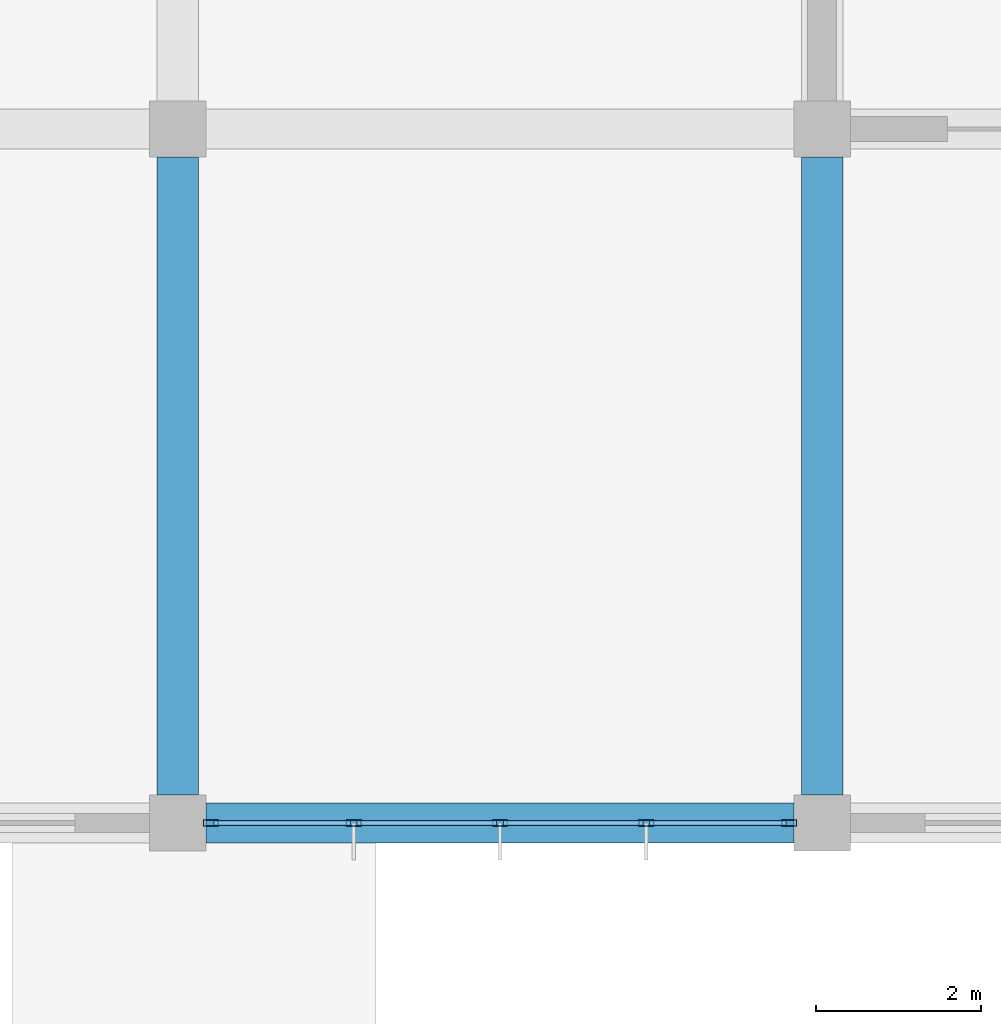
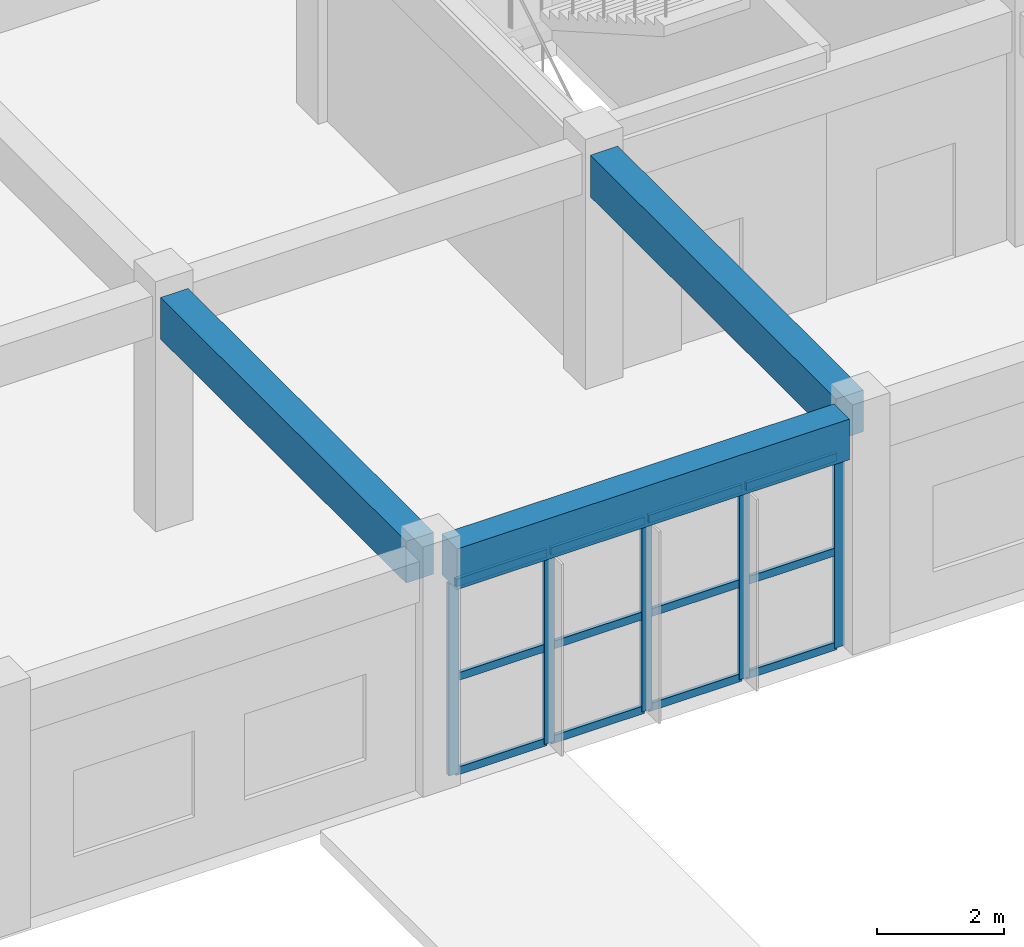
# One storey, part 94 of 175: 17 members, 3 beams, 1 element without a shape of its own.
"""IFC4 building model written with IfcOpenShell, lengths in metres."""

from ifc_helpers import new_model, si_unit, direction, frame, origin, origin_2d, place, context, subcontext, project, spatial, rectangle, hollow_rectangle, extrude, material, layer, layer_set, material_profile, profile_set, type_object, element, aggregate, save


model = new_model("IFC4")

# Units and contexts
model_context = context("Model", 3, precision=1e-05, world=origin(), true_north=direction((0.0, 1.0)))
body_context = subcontext(model_context, "Body", "Model", "MODEL_VIEW")
ifc_project = project(units=[si_unit("LENGTHUNIT", "METRE"), si_unit("AREAUNIT", "SQUARE_METRE"), si_unit("VOLUMEUNIT", "CUBIC_METRE"), si_unit("PLANEANGLEUNIT", "RADIAN"), si_unit("MASSUNIT", "GRAM", prefix="KILO")], contexts=[model_context])

# Site, building, storey
site_placement = place(None, origin())
site = spatial("IfcSite", under=ifc_project, at=site_placement, CompositionType="ELEMENT")
building_placement = place(site_placement, origin())
building = spatial("IfcBuilding", under=site, at=building_placement, Name="Zizhar Promenade General Hospital", CompositionType="ELEMENT")
storey_placement = place(building_placement, frame((0.0, 0.0, 4.800048828125)))
storey = spatial("IfcBuildingStorey", under=building, at=storey_placement, Name="L01", CompositionType="ELEMENT", Elevation=4.800048828125)

# Beams
ifc_material_1 = material(Name="Concrete C35/45", Category="concrete")
ifc_material_profile_1 = material_profile(ifc_material_1, rectangle(XDim=0.47998046875, YDim=0.780029296875, at=origin_2d()))
ifc_profile_set_1 = profile_set([ifc_material_profile_1], Name="Concrete C35/45")
beam_type_1 = type_object("IfcBeamType", Name="BM-RC-480x780", PredefinedType="BEAM", material=ifc_profile_set_1)
beam_placement = place(storey_placement, frame((164.139892578125, 42.0, 4.079833984375), z_axis=(1.0, 0.0, 0.0), x_axis=(0.0, 1.0, 0.0)))
element("IfcBeam", 1, at=beam_placement, inside=storey, type_object=beam_type_1, Name="Grid Beam X L01 (21-5)", PredefinedType="BEAM", context=body_context, shape_type="SweptSolid", body=[
    extrude(rectangle(XDim=0.47998046875, YDim=0.780029296875, at=origin_2d()), origin(), (0.0, 0.0, 1.0), 7.1201171875),
])
ifc_material_2 = material(Name="Concrete C35/45", Category="concrete")
ifc_material_profile_2 = material_profile(ifc_material_2, rectangle(XDim=0.5, YDim=0.800048828125, at=origin_2d()))
ifc_profile_set_2 = profile_set([ifc_material_profile_2], Name="Concrete C35/45")
beam_type_2 = type_object("IfcBeamType", Name="BM-RC-500x800", PredefinedType="BEAM", material=ifc_profile_set_2)
for number, where, z_axis, x_axis, name in (
    (2, (163.800048828125, 42.340087890625, 4.070068359375), (0.0, 1.0, 0.0), (-1.0, 0.0, 0.0), "Grid Beam Y L01 (21-5)"),
    (3, (171.60009765625, 42.340087890625, 4.070068359375), (0.0, 1.0, 0.0), (-1.0, 0.0, 0.0), "Grid Beam Y L01 (22-5)"),
):
    element("IfcBeam", number, at=place(storey_placement, frame(where, z_axis=z_axis, x_axis=x_axis)), inside=storey, type_object=beam_type_2, Name=name, PredefinedType="BEAM", context=body_context, shape_type="SweptSolid", body=[
        extrude(rectangle(XDim=0.5, YDim=0.800048828125, at=origin_2d()), origin(), (0.0, 0.0, 1.0), 7.719970703125),
    ])

# Curtain wall, members
ifc_material_3 = material(Name="Anodised aluminium 6063-T6 and low-E glass", Category="aluminium")
ifc_layer = layer(ifc_material_3, 0.159912109375)
ifc_layer_set = layer_set([ifc_layer], Name="Anodised aluminium 6063-T6 and low-E glass")
curtain_wall_type = type_object("IfcCurtainWallType", Name="CW-CLN-EXT", PredefinedType="NOTDEFINED", material=ifc_layer_set)
curtain_wall_placement = place(storey_placement, origin())
curtain_wall = element("IfcCurtainWall", 4, at=curtain_wall_placement, inside=storey, type_object=curtain_wall_type, Name="Outpatient Forecourt Curtain Wall L01-21", PredefinedType="NOTDEFINED")
ifc_material_4 = material(Name="Anodised aluminium 6063-T6", Category="aluminium")
ifc_material_profile_3 = material_profile(ifc_material_4, hollow_rectangle(XDim=0.080078125, YDim=0.179931640625, WallThickness=0.0048828125, at=origin_2d()))
ifc_profile_set_3 = profile_set([ifc_material_profile_3], Name="Anodised aluminium 6063-T6")
member_type_1 = type_object("IfcMemberType", Name="CWM-ALU-180x80", PredefinedType="MULLION", material=ifc_profile_set_3)
member_1_placement = place(storey_placement, frame((171.199951171875, 42.0, 0.0), z_axis=(0.0, 0.0, 1.0), x_axis=(0.0, -1.0, 0.0)))
member_1 = element("IfcMember", 5, at=member_1_placement, type_object=member_type_1, Name="CW-09 mullion 1", PredefinedType="MULLION", context=body_context, shape_type="SweptSolid", body=[
    extrude(hollow_rectangle(XDim=0.080078125, YDim=0.179931640625, WallThickness=0.0048828125, at=origin_2d()), origin(), (0.0, 0.0, 1.0), 3.679931640625),
])
member_2_placement = place(storey_placement, frame((169.469970703125, 42.0, 0.0), z_axis=(0.0, 0.0, 1.0), x_axis=(0.0, -1.0, 0.0)))
member_2 = element("IfcMember", 6, at=member_2_placement, type_object=member_type_1, Name="CW-09 mullion 2", PredefinedType="MULLION", context=body_context, shape_type="SweptSolid", body=[
    extrude(hollow_rectangle(XDim=0.080078125, YDim=0.179931640625, WallThickness=0.0048828125, at=origin_2d()), origin(), (0.0, 0.0, 1.0), 3.679931640625),
])
member_3_placement = place(storey_placement, frame((167.699951171875, 42.0, 0.0), z_axis=(0.0, 0.0, 1.0), x_axis=(0.0, -1.0, 0.0)))
member_3 = element("IfcMember", 7, at=member_3_placement, type_object=member_type_1, Name="CW-09 mullion 3", PredefinedType="MULLION", context=body_context, shape_type="SweptSolid", body=[
    extrude(hollow_rectangle(XDim=0.080078125, YDim=0.179931640625, WallThickness=0.0048828125, at=origin_2d()), origin(), (0.0, 0.0, 1.0), 3.679931640625),
])
member_4_placement = place(storey_placement, frame((165.929931640625, 42.0, 0.0), z_axis=(0.0, 0.0, 1.0), x_axis=(0.0, -1.0, 0.0)))
member_4 = element("IfcMember", 8, at=member_4_placement, type_object=member_type_1, Name="CW-09 mullion 4", PredefinedType="MULLION", context=body_context, shape_type="SweptSolid", body=[
    extrude(hollow_rectangle(XDim=0.080078125, YDim=0.179931640625, WallThickness=0.0048828125, at=origin_2d()), origin(), (0.0, 0.0, 1.0), 3.679931640625),
])
member_5_placement = place(storey_placement, frame((164.199951171875, 42.0, 0.0), z_axis=(0.0, 0.0, 1.0), x_axis=(0.0, -1.0, 0.0)))
member_5 = element("IfcMember", 9, at=member_5_placement, type_object=member_type_1, Name="CW-09 mullion 5", PredefinedType="MULLION", context=body_context, shape_type="SweptSolid", body=[
    extrude(hollow_rectangle(XDim=0.080078125, YDim=0.179931640625, WallThickness=0.0048828125, at=origin_2d()), origin(), (0.0, 0.0, 1.0), 3.679931640625),
])
ifc_material_5 = material(Name="Anodised aluminium 6063-T6", Category="aluminium")
ifc_material_profile_4 = material_profile(ifc_material_5, hollow_rectangle(XDim=0.06005859375, YDim=0.14990234375, WallThickness=0.00390625, at=origin_2d()))
ifc_profile_set_4 = profile_set([ifc_material_profile_4], Name="Anodised aluminium 6063-T6")
member_type_2 = type_object("IfcMemberType", Name="CWT-ALU-150x60", PredefinedType="USERDEFINED", material=ifc_profile_set_4)
member_6_placement = place(storey_placement, frame((171.159912109375, 42.0, 0.030029296875), z_axis=(-1.0, 0.0, 0.0), x_axis=(0.0, -1.0, 0.0)))
member_6 = element("IfcMember", 10, at=member_6_placement, type_object=member_type_2, Name="CW-09 transom 1.1", ObjectType="TRANSOM", PredefinedType="USERDEFINED", context=body_context, shape_type="SweptSolid", body=[
    extrude(hollow_rectangle(XDim=0.06005859375, YDim=0.14990234375, WallThickness=0.00390625, at=origin_2d()), origin(), (0.0, 0.0, 1.0), 1.64990234375),
])
member_7_placement = place(storey_placement, frame((171.159912109375, 42.0, 1.83984375), z_axis=(-1.0, 0.0, 0.0), x_axis=(0.0, -1.0, 0.0)))
member_7 = element("IfcMember", 11, at=member_7_placement, type_object=member_type_2, Name="CW-09 transom 1.2", ObjectType="TRANSOM", PredefinedType="USERDEFINED", context=body_context, shape_type="SweptSolid", body=[
    extrude(hollow_rectangle(XDim=0.06005859375, YDim=0.14990234375, WallThickness=0.00390625, at=origin_2d()), origin(), (0.0, 0.0, 1.0), 1.64990234375),
])
member_8_placement = place(storey_placement, frame((171.159912109375, 42.0, 3.64990234375), z_axis=(-1.0, 0.0, 0.0), x_axis=(0.0, -1.0, 0.0)))
member_8 = element("IfcMember", 12, at=member_8_placement, type_object=member_type_2, Name="CW-09 transom 1.3", ObjectType="TRANSOM", PredefinedType="USERDEFINED", context=body_context, shape_type="SweptSolid", body=[
    extrude(hollow_rectangle(XDim=0.06005859375, YDim=0.14990234375, WallThickness=0.00390625, at=origin_2d()), origin(), (0.0, 0.0, 1.0), 1.64990234375),
])
member_9_placement = place(storey_placement, frame((169.429931640625, 42.0, 0.030029296875), z_axis=(-1.0, 0.0, 0.0), x_axis=(0.0, -1.0, 0.0)))
member_9 = element("IfcMember", 13, at=member_9_placement, type_object=member_type_2, Name="CW-09 transom 2.1", ObjectType="TRANSOM", PredefinedType="USERDEFINED", context=body_context, shape_type="SweptSolid", body=[
    extrude(hollow_rectangle(XDim=0.06005859375, YDim=0.14990234375, WallThickness=0.00390625, at=origin_2d()), origin(), (0.0, 0.0, 1.0), 1.68994140625),
])
member_10_placement = place(storey_placement, frame((169.429931640625, 42.0, 1.83984375), z_axis=(-1.0, 0.0, 0.0), x_axis=(0.0, -1.0, 0.0)))
member_10 = element("IfcMember", 14, at=member_10_placement, type_object=member_type_2, Name="CW-09 transom 2.2", ObjectType="TRANSOM", PredefinedType="USERDEFINED", context=body_context, shape_type="SweptSolid", body=[
    extrude(hollow_rectangle(XDim=0.06005859375, YDim=0.14990234375, WallThickness=0.00390625, at=origin_2d()), origin(), (0.0, 0.0, 1.0), 1.68994140625),
])
member_11_placement = place(storey_placement, frame((169.429931640625, 42.0, 3.64990234375), z_axis=(-1.0, 0.0, 0.0), x_axis=(0.0, -1.0, 0.0)))
member_11 = element("IfcMember", 15, at=member_11_placement, type_object=member_type_2, Name="CW-09 transom 2.3", ObjectType="TRANSOM", PredefinedType="USERDEFINED", context=body_context, shape_type="SweptSolid", body=[
    extrude(hollow_rectangle(XDim=0.06005859375, YDim=0.14990234375, WallThickness=0.00390625, at=origin_2d()), origin(), (0.0, 0.0, 1.0), 1.68994140625),
])
member_12_placement = place(storey_placement, frame((167.659912109375, 42.0, 0.030029296875), z_axis=(-1.0, 0.0, 0.0), x_axis=(0.0, -1.0, 0.0)))
member_12 = element("IfcMember", 16, at=member_12_placement, type_object=member_type_2, Name="CW-09 transom 3.1", ObjectType="TRANSOM", PredefinedType="USERDEFINED", context=body_context, shape_type="SweptSolid", body=[
    extrude(hollow_rectangle(XDim=0.06005859375, YDim=0.14990234375, WallThickness=0.00390625, at=origin_2d()), origin(), (0.0, 0.0, 1.0), 1.68994140625),
])
member_13_placement = place(storey_placement, frame((167.659912109375, 42.0, 1.83984375), z_axis=(-1.0, 0.0, 0.0), x_axis=(0.0, -1.0, 0.0)))
member_13 = element("IfcMember", 17, at=member_13_placement, type_object=member_type_2, Name="CW-09 transom 3.2", ObjectType="TRANSOM", PredefinedType="USERDEFINED", context=body_context, shape_type="SweptSolid", body=[
    extrude(hollow_rectangle(XDim=0.06005859375, YDim=0.14990234375, WallThickness=0.00390625, at=origin_2d()), origin(), (0.0, 0.0, 1.0), 1.68994140625),
])
member_14_placement = place(storey_placement, frame((167.659912109375, 42.0, 3.64990234375), z_axis=(-1.0, 0.0, 0.0), x_axis=(0.0, -1.0, 0.0)))
member_14 = element("IfcMember", 18, at=member_14_placement, type_object=member_type_2, Name="CW-09 transom 3.3", ObjectType="TRANSOM", PredefinedType="USERDEFINED", context=body_context, shape_type="SweptSolid", body=[
    extrude(hollow_rectangle(XDim=0.06005859375, YDim=0.14990234375, WallThickness=0.00390625, at=origin_2d()), origin(), (0.0, 0.0, 1.0), 1.68994140625),
])
member_15_placement = place(storey_placement, frame((165.889892578125, 42.0, 0.030029296875), z_axis=(-1.0, 0.0, 0.0), x_axis=(0.0, -1.0, 0.0)))
member_15 = element("IfcMember", 19, at=member_15_placement, type_object=member_type_2, Name="CW-09 transom 4.1", ObjectType="TRANSOM", PredefinedType="USERDEFINED", context=body_context, shape_type="SweptSolid", body=[
    extrude(hollow_rectangle(XDim=0.06005859375, YDim=0.14990234375, WallThickness=0.00390625, at=origin_2d()), origin(), (0.0, 0.0, 1.0), 1.64990234375),
])
member_16_placement = place(storey_placement, frame((165.889892578125, 42.0, 1.83984375), z_axis=(-1.0, 0.0, 0.0), x_axis=(0.0, -1.0, 0.0)))
member_16 = element("IfcMember", 20, at=member_16_placement, type_object=member_type_2, Name="CW-09 transom 4.2", ObjectType="TRANSOM", PredefinedType="USERDEFINED", context=body_context, shape_type="SweptSolid", body=[
    extrude(hollow_rectangle(XDim=0.06005859375, YDim=0.14990234375, WallThickness=0.00390625, at=origin_2d()), origin(), (0.0, 0.0, 1.0), 1.64990234375),
])
member_17_placement = place(storey_placement, frame((165.889892578125, 42.0, 3.64990234375), z_axis=(-1.0, 0.0, 0.0), x_axis=(0.0, -1.0, 0.0)))
member_17 = element("IfcMember", 21, at=member_17_placement, type_object=member_type_2, Name="CW-09 transom 4.3", ObjectType="TRANSOM", PredefinedType="USERDEFINED", context=body_context, shape_type="SweptSolid", body=[
    extrude(hollow_rectangle(XDim=0.06005859375, YDim=0.14990234375, WallThickness=0.00390625, at=origin_2d()), origin(), (0.0, 0.0, 1.0), 1.64990234375),
])
aggregate(curtain_wall, [member_1, member_2, member_3, member_4, member_5, member_6, member_7, member_8, member_9, member_10, member_11, member_12, member_13, member_14, member_15, member_16, member_17])

save(model, "model.ifc")
